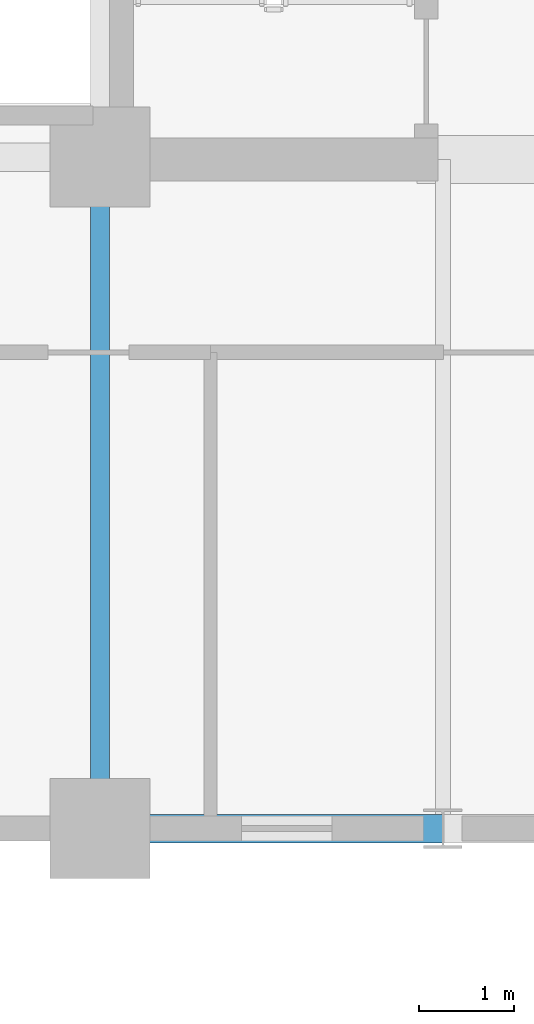
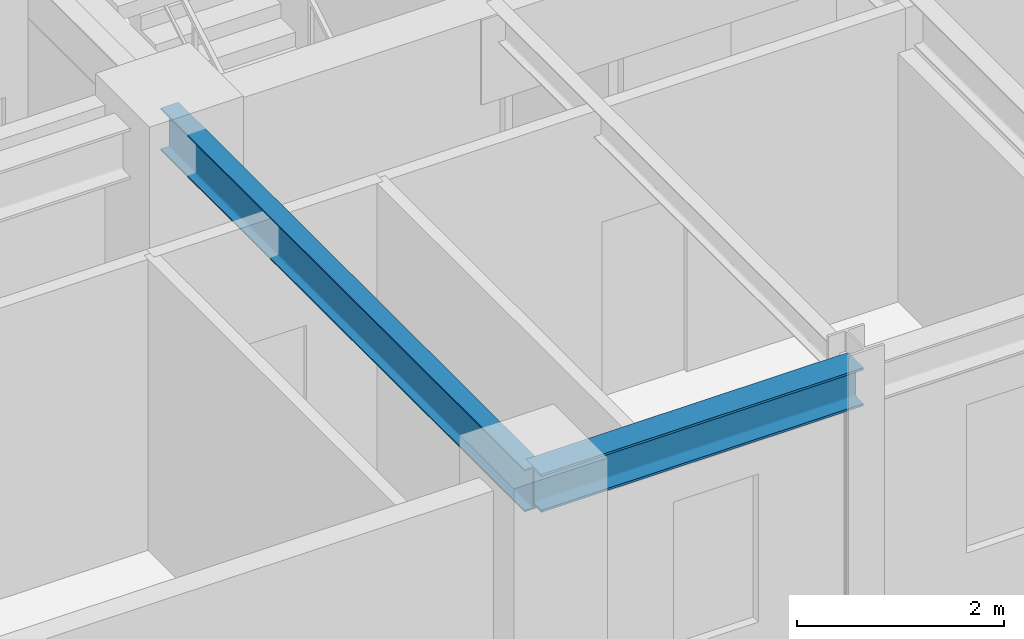
# One storey, part 4 of 19: 2 beams.
"""IFC4 building model written with IfcOpenShell, lengths in metres."""

import ifcopenshell
import ifcopenshell.guid

model = None  # the IFC model being written
_history = None  # IfcOwnerHistory: only IFC2X3 demands one
_inside = {}  # id of a spatial element -> (the spatial element, [elements in it])
_under = {}  # id of a project, library or spatial element -> (it, [spatial elements below it])
_declared = {}  # id of a project -> (the project, [libraries it declares])
_typed = {}  # id of a type object -> (the type object, [elements of that type])
_made_of = {}  # id of a material, layer set ... -> (it, [elements and type objects made of it])


def new_model(schema):
    """Start an empty IFC model of exactly this schema.

    Asked for "IFC4X3", IfcOpenShell would pick the latest addendum, in which some entities
    have other attributes; the version numbers below select the first issue.
    IFC2X3 requires an IfcOwnerHistory on every rooted entity: one is made here for all.
    """
    global model, _history
    if schema == "IFC4X3":
        model = ifcopenshell.file(schema_version=(4, 3, 0, 0))
    else:
        model = ifcopenshell.file(schema=schema)
    _inside.clear()
    _under.clear()
    _declared.clear()
    _typed.clear()
    _made_of.clear()
    _history = None
    if model.schema == "IFC2X3":
        org = make("IfcOrganization", Name="unknown")
        user = make(
            "IfcPersonAndOrganization",
            ThePerson=make("IfcPerson", FamilyName="unknown"),
            TheOrganization=org,
        )
        app = make(
            "IfcApplication",
            ApplicationDeveloper=org,
            Version="unknown",
            ApplicationFullName="unknown",
            ApplicationIdentifier="unknown",
        )
        _history = make(
            "IfcOwnerHistory",
            OwningUser=user,
            OwningApplication=app,
            ChangeAction="ADDED",
            CreationDate=0,
        )
    return model


def make(cls, **values):
    """One entity of the class cls with the attributes given. An attribute that is None is left unset."""
    return model.create_entity(
        cls, **{name: value for name, value in values.items() if value is not None}
    )


def rooted(cls, **values):
    """An entity with a GlobalId (a new one), such as an element, a storey or a relation."""
    return make(cls, GlobalId=ifcopenshell.guid.new(), OwnerHistory=_history, **values)


def si_unit(unit_type, name, prefix=None):
    """IfcSIUnit, for example si_unit("LENGTHUNIT", "METRE", prefix="MILLI")."""
    return make("IfcSIUnit", UnitType=unit_type, Prefix=prefix, Name=name)


def assignment(units):
    """IfcUnitAssignment: the units of a project."""
    return None if units is None else make("IfcUnitAssignment", Units=units)


def point(xyz):
    """IfcCartesianPoint."""
    return None if xyz is None else make("IfcCartesianPoint", Coordinates=xyz)


def direction(xyz):
    """IfcDirection."""
    return None if xyz is None else make("IfcDirection", DirectionRatios=xyz)


def frame(location, z_axis=None, x_axis=None):
    """IfcAxis2Placement3D, a coordinate frame: its origin and axes. An axis left out is left unset."""
    return make(
        "IfcAxis2Placement3D",
        Location=point(location),
        Axis=direction(z_axis),
        RefDirection=direction(x_axis),
    )


def frame_2d(location, x_axis=None):
    """IfcAxis2Placement2D, a coordinate frame in the plane: its origin and x axis."""
    return make(
        "IfcAxis2Placement2D", Location=point(location), RefDirection=direction(x_axis)
    )


def origin():
    """The frame at (0, 0, 0) with its axes left unset."""
    return frame((0.0, 0.0, 0.0))


def origin_2d():
    """The frame at (0, 0) in the plane with its x axis left unset."""
    return frame_2d((0.0, 0.0))


def place(relative_to, where):
    """IfcLocalPlacement: puts the frame where relative to a parent placement (None: the world)."""
    return make(
        "IfcLocalPlacement", PlacementRelTo=relative_to, RelativePlacement=where
    )


def context(
    kind, dimensions, precision=None, world=None, true_north=None, identifier=None
):
    """IfcGeometricRepresentationContext, for example the 3D "Model" context."""
    return make(
        "IfcGeometricRepresentationContext",
        ContextIdentifier=identifier,
        ContextType=kind,
        CoordinateSpaceDimension=dimensions,
        Precision=precision,
        WorldCoordinateSystem=world,
        TrueNorth=true_north,
    )


def subcontext(parent, identifier, kind, view, scale=None):
    """IfcGeometricRepresentationSubContext, for example "Body" below "Model"."""
    return make(
        "IfcGeometricRepresentationSubContext",
        ContextIdentifier=identifier,
        ContextType=kind,
        ParentContext=parent,
        TargetScale=scale,
        TargetView=view,
    )


def project(units=None, contexts=None):
    """IfcProject with its units and contexts."""
    return rooted(
        "IfcProject",
        Name="project",
        RepresentationContexts=contexts,
        UnitsInContext=assignment(units),
    )


def spatial(cls, under=None, at=None, **own):
    """A site, building, storey or space (cls), placed at a placement, below another one or the project."""
    s = rooted(cls, ObjectPlacement=at, **own)
    if under is not None:
        _under.setdefault(under.id(), (under, []))[1].append(s)
    return s


def profile(cls, at=None, kind="AREA", **sizes):
    """A parametric profile (cls). Its sizes go by their IFC names, for example OverallWidth=200.0."""
    return make(cls, ProfileType=kind, Position=at, **sizes)


def i_section(**sizes):
    """IfcIShapeProfileDef."""
    return profile("IfcIShapeProfileDef", **sizes)


def extrude(swept, where, along, depth):
    """IfcExtrudedAreaSolid: the profile swept, set in the frame where, extruded along a direction by depth."""
    return make(
        "IfcExtrudedAreaSolid",
        SweptArea=swept,
        Position=where,
        ExtrudedDirection=direction(along),
        Depth=depth,
    )


def shape(context_of_items, identifier, shape_type, items):
    """IfcShapeRepresentation: the items that make up one representation, for example the "Body"."""
    return make(
        "IfcShapeRepresentation",
        ContextOfItems=context_of_items,
        RepresentationIdentifier=identifier,
        RepresentationType=shape_type,
        Items=items,
    )


def source(mapping_origin, context_of_items, identifier, shape_type, items):
    """IfcRepresentationMap: a shape defined once, which mapped items show again and again."""
    return make(
        "IfcRepresentationMap",
        MappingOrigin=mapping_origin,
        MappedRepresentation=shape(context_of_items, identifier, shape_type, items),
    )


def transform(
    local_origin,
    x_axis=None,
    y_axis=None,
    z_axis=None,
    scale=None,
    scale2=None,
    scale3=None,
    uniform=True,
):
    """IfcCartesianTransformationOperator3D, or its non-uniform kind. x_axis, y_axis, z_axis: its Axis1, 2, 3."""
    if uniform:
        return make(
            "IfcCartesianTransformationOperator3D",
            Axis1=direction(x_axis),
            Axis2=direction(y_axis),
            LocalOrigin=point(local_origin),
            Scale=scale,
            Axis3=direction(z_axis),
        )
    return make(
        "IfcCartesianTransformationOperator3DnonUniform",
        Axis1=direction(x_axis),
        Axis2=direction(y_axis),
        LocalOrigin=point(local_origin),
        Scale=scale,
        Axis3=direction(z_axis),
        Scale2=scale2,
        Scale3=scale3,
    )


def mapped(mapping_source, mapping_target):
    """IfcMappedItem: shows the shape of a source again, moved by a transform."""
    return make(
        "IfcMappedItem", MappingSource=mapping_source, MappingTarget=mapping_target
    )


def material(Name=None, Category=None):
    """IfcMaterial."""
    return make("IfcMaterial", Name=Name, Category=Category)


def material_profile(
    of_material, cross_section, Name=None, Category=None, Priority=None
):
    """IfcMaterialProfile: a cross section and its material."""
    return make(
        "IfcMaterialProfile",
        Name=Name,
        Material=of_material,
        Profile=cross_section,
        Priority=Priority,
        Category=Category,
    )


def profile_set(profiles, Name=None, composite=None):
    """IfcMaterialProfileSet."""
    return make(
        "IfcMaterialProfileSet",
        Name=Name,
        MaterialProfiles=profiles,
        CompositeProfile=composite,
    )


def made_of(thing, what):
    """Note that an element or type object is made of a material, layer set ...; save() writes the relation."""
    if what is not None:
        _made_of.setdefault(what.id(), (what, []))[1].append(thing)
    return thing


def type_object(cls, material=None, **own):
    """A type object (cls), such as IfcWallType, which elements share."""
    return made_of(rooted(cls, **own), material)


def element(
    cls,
    number,
    at=None,
    inside=None,
    cuts=None,
    type_object=None,
    material=None,
    context=None,
    identifier="Body",
    shape_type=None,
    held_by="IfcProductDefinitionShape",
    body=None,
    shapes=None,
    **own,
):
    """One element of the class cls, such as IfcWall. Its Tag is "e" and its number.

    at: its placement. inside: the storey or other place that contains it. cuts: it is an
    opening in that element (IfcRelVoidsElement). A single representation is given by context,
    identifier, shape_type and body (its items); several are given by shapes. held_by: the class
    of the entity that holds the representations. save() writes the other relations.
    """
    e = rooted(cls, Tag="e%d" % number, ObjectPlacement=at, **own)
    if body is not None:
        shapes = [shape(context, identifier, shape_type, body)]
    if shapes is not None:
        e.Representation = make(held_by, Representations=shapes)
    if inside is not None:
        _inside.setdefault(inside.id(), (inside, []))[1].append(e)
    if cuts is not None:
        rooted(
            "IfcRelVoidsElement", RelatingBuildingElement=cuts, RelatedOpeningElement=e
        )
    if type_object is not None:
        _typed.setdefault(type_object.id(), (type_object, []))[1].append(e)
    return made_of(e, material)


def aggregate(whole, parts):
    """IfcRelAggregates: a whole, such as a stair, and the parts it consists of."""
    return rooted("IfcRelAggregates", RelatingObject=whole, RelatedObjects=parts)


def save(model, path):
    """Write the relations noted so far, then the file.

    IfcRelAggregates (storeys below a building ...), IfcRelContainedInSpatialStructure (elements
    in a storey), IfcRelDefinesByType, IfcRelAssociatesMaterial and IfcRelDeclares: one each for
    every whole, place, type object, material and project.
    """
    for whole, parts in _under.values():
        aggregate(whole, parts)
    for where, things in _inside.values():
        rooted(
            "IfcRelContainedInSpatialStructure",
            RelatedElements=things,
            RelatingStructure=where,
        )
    for kind, things in _typed.values():
        rooted("IfcRelDefinesByType", RelatedObjects=things, RelatingType=kind)
    for what, things in _made_of.values():
        rooted("IfcRelAssociatesMaterial", RelatedObjects=things, RelatingMaterial=what)
    for by, libraries in _declared.values():
        rooted("IfcRelDeclares", RelatingContext=by, RelatedDefinitions=libraries)
    model.write(path)


model = new_model("IFC4")

# Units and contexts
model_context = context("Model", 3, precision=1e-05, world=origin(), true_north=direction((0.0, 1.0)))
body_context = subcontext(model_context, "Body", "Model", "MODEL_VIEW")
ifc_project = project(units=[si_unit("LENGTHUNIT", "METRE"), si_unit("AREAUNIT", "SQUARE_METRE"), si_unit("VOLUMEUNIT", "CUBIC_METRE"), si_unit("PLANEANGLEUNIT", "RADIAN"), si_unit("MASSUNIT", "GRAM", prefix="KILO")], contexts=[model_context])

# Site, building, storey
site_placement = place(None, origin())
site = spatial("IfcSite", under=ifc_project, at=site_placement, CompositionType="ELEMENT")
building_placement = place(site_placement, origin())
building = spatial("IfcBuilding", under=site, at=building_placement, Name="Kaliganga Portal Commons", CompositionType="ELEMENT")
storey_placement = place(building_placement, frame((0.0, 0.0, 140.199951171875)))
storey = spatial("IfcBuildingStorey", under=building, at=storey_placement, Name="L35", CompositionType="ELEMENT", Elevation=140.199951171875)

# Beams
ifc_material = material(Name="Structural steel S355J2", Category="steel")
ifc_material_profile_1 = material_profile(ifc_material, i_section(OverallWidth=0.199951171875, OverallDepth=0.5, WebThickness=0.01025390625, FlangeThickness=0.01611328125, FilletRadius=0.02099609375, at=origin_2d()), Name="IPE 500")
ifc_profile_set_1 = profile_set([ifc_material_profile_1], Name="Structural steel S355J2 wide-flange")
beam_type_1 = type_object("IfcBeamType", Name="BM-FLR-500", PredefinedType="BEAM", material=ifc_profile_set_1)
shared_shape_1 = source(origin(), body_context, "Body", "SweptSolid", [
    extrude(i_section(OverallWidth=0.199951171875, OverallDepth=0.5, WebThickness=0.01025390625, FlangeThickness=0.01611328125, FilletRadius=0.02099609375, at=origin_2d()), origin(), (0.0, 0.0, 1.0), 7.0498046875),
])
beam_1_placement = place(storey_placement, frame((14.39990234375, 21.60009765625, 3.2099609375), z_axis=(0.0, 1.0, 0.0), x_axis=(-1.0, 0.0, 0.0)))
element("IfcBeam", 1, at=beam_1_placement, inside=storey, type_object=beam_type_1, Name="BM G L35 AS144", PredefinedType="BEAM", context=body_context, shape_type="MappedRepresentation", body=[
    mapped(shared_shape_1, transform((0.0, 0.0, 0.0), x_axis=(1.0, 0.0, 0.0), y_axis=(0.0, 1.0, 0.0), z_axis=(0.0, 0.0, 1.0), scale=1.0)),
])
ifc_material_profile_2 = material_profile(ifc_material, i_section(OverallWidth=0.300048828125, OverallDepth=0.449951171875, WebThickness=0.013916015625, FlangeThickness=0.02587890625, FilletRadius=0.027099609375, at=origin_2d()), Name="HE 450 B")
ifc_profile_set_2 = profile_set([ifc_material_profile_2], Name="Structural steel S355J2 wide-flange")
beam_type_2 = type_object("IfcBeamType", Name="BM-SPAND-450", PredefinedType="SPANDREL", material=ifc_profile_set_2)
shared_shape_2 = source(origin(), body_context, "Body", "SweptSolid", [
    extrude(i_section(OverallWidth=0.300048828125, OverallDepth=0.449951171875, WebThickness=0.013916015625, FlangeThickness=0.02587890625, FilletRadius=0.027099609375, at=origin_2d()), origin(), (0.0, 0.0, 1.0), 3.60009765625),
])
beam_2_placement = place(storey_placement, frame((14.39990234375, 21.60009765625, 3.235107421875), z_axis=(1.0, 0.0, 0.0), x_axis=(0.0, 1.0, 0.0)))
element("IfcBeam", 2, at=beam_2_placement, inside=storey, type_object=beam_type_2, Name="BM SP L35 AS 1", PredefinedType="SPANDREL", context=body_context, shape_type="MappedRepresentation", body=[
    mapped(shared_shape_2, transform((0.0, 0.0, 0.0), x_axis=(1.0, 0.0, 0.0), y_axis=(0.0, 1.0, 0.0), z_axis=(0.0, 0.0, 1.0), scale=1.0)),
])

save(model, "model.ifc")
